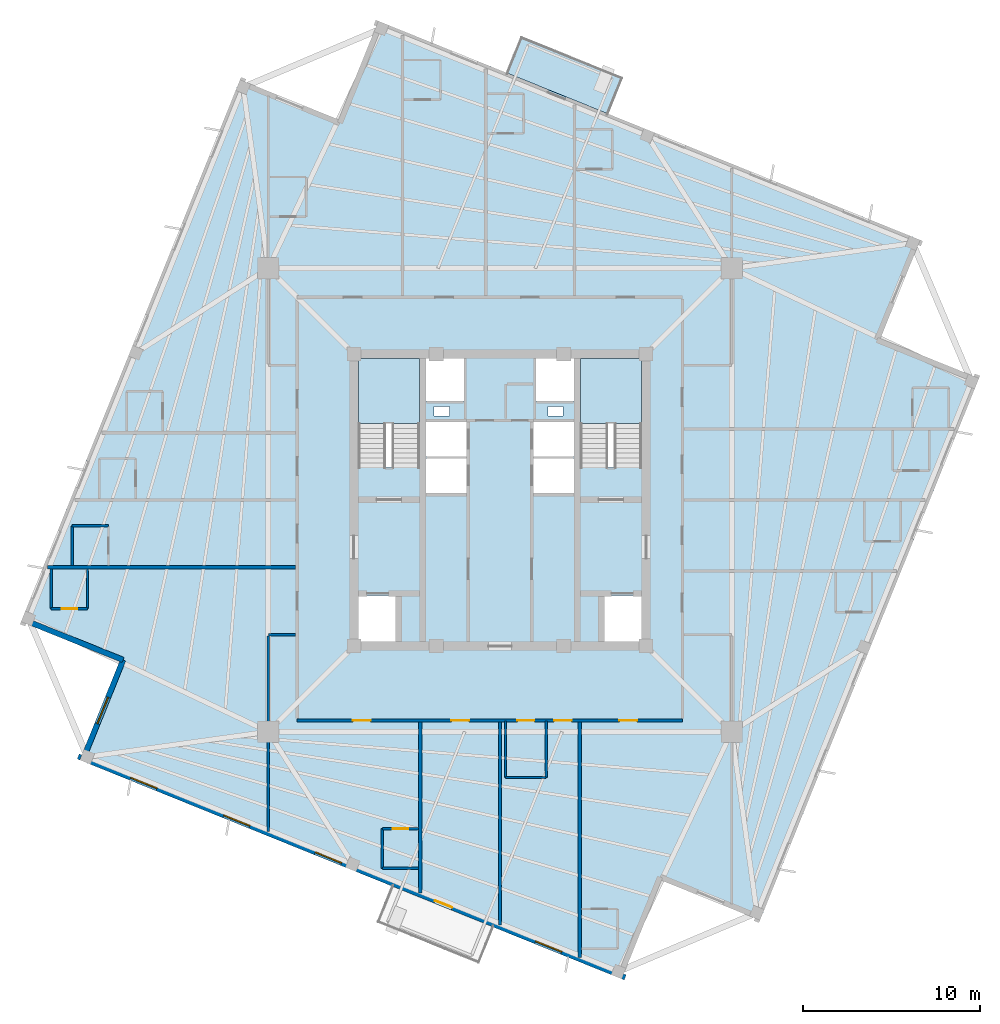
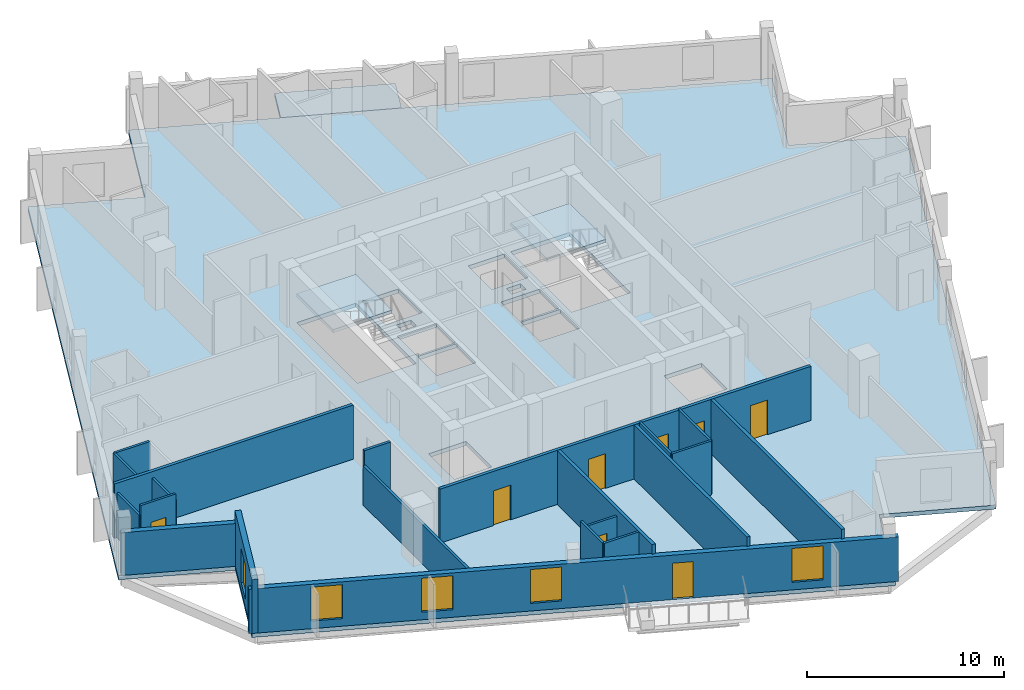
# One storey, part 2 of 9: 21 walls, 8 doors, 5 windows, 4 slabs, 13 openings, 2 elements without a shape of their own.
"""IFC4 building model written with IfcOpenShell, lengths in metres."""

from ifc_helpers import new_model, si_unit, direction, frame, frame_2d, origin, place, context, subcontext, project, spatial, polyline, rectangle, outline, extrude, source, transform, mapped, material, layer, layer_set, type_object, element, fill, aggregate, save


model = new_model("IFC4")

# Units and contexts
model_context = context("Model", 3, precision=1e-05, world=origin(), true_north=direction((0.0, 1.0)))
body_context = subcontext(model_context, "Body", "Model", "MODEL_VIEW")
ifc_project = project(units=[si_unit("LENGTHUNIT", "METRE"), si_unit("AREAUNIT", "SQUARE_METRE"), si_unit("VOLUMEUNIT", "CUBIC_METRE"), si_unit("PLANEANGLEUNIT", "RADIAN"), si_unit("MASSUNIT", "GRAM", prefix="KILO"), si_unit("THERMODYNAMICTEMPERATUREUNIT", "KELVIN")], contexts=[model_context])

# Site, building, storey
site_placement = place(None, origin())
site = spatial("IfcSite", under=ifc_project, at=site_placement, CompositionType="ELEMENT")
building_placement = place(site_placement, origin())
building = spatial("IfcBuilding", under=site, at=building_placement, Name="Kosmvard Interchange Tower", CompositionType="ELEMENT")
storey_placement = place(building_placement, frame((0.0, 0.0, 276.0)))
storey = spatial("IfcBuildingStorey", under=building, at=storey_placement, Name="L67", CompositionType="ELEMENT", Elevation=276.0)

# Slab
ifc_material_1 = material(Name="Concrete C50/60", Category="concrete")
ifc_layer_1 = layer(ifc_material_1, 0.25, Name="Concrete C50/60")
ifc_layer_set_1 = layer_set([ifc_layer_1], Name="Concrete C50/60")
slab_type_1 = type_object("IfcSlabType", Name="Hotel Acoustic Floor Slab 250 C50/60", PredefinedType="FLOOR", material=ifc_layer_set_1)
slab_1_placement = place(storey_placement, frame((0.0, 0.0, -0.25)))
element("IfcSlab", 1, at=slab_1_placement, inside=storey, type_object=slab_type_1, Name="L67 Structural Floor Slab", PredefinedType="FLOOR", context=body_context, shape_type="SweptSolid", body=[
    extrude(outline(polyline([(14.6806640625, -23.727294921875), (27.042724609375, 6.869873046875), (21.4794921875, 9.117431640625), (23.727294921875, 14.6806640625), (-6.869873046875, 27.042724609375), (-9.117431640625, 21.4794921875), (-14.6806640625, 23.727294921875), (-27.042724609375, -6.869873046875), (-21.4794921875, -9.117431640625), (-23.727294921875, -14.6806640625), (6.869873046875, -27.042724609375), (9.117431640625, -21.4794921875), (14.6806640625, -23.727294921875)]), holes=[polyline([(-8.0, 1.8349609375), (-4.5400390625, 1.8349609375), (-4.5400390625, 8.0), (-8.0, 8.0), (-8.0, 1.8349609375)]), polyline([(4.5400390625, 1.8349609375), (8.0, 1.8349609375), (8.0, 8.0), (4.5400390625, 8.0), (4.5400390625, 1.8349609375)]), polyline([(-8.0, -8.0), (-5.800048828125, -8.0), (-5.800048828125, -5.39990234375), (-8.0, -5.39990234375), (-8.0, -8.0)]), polyline([(5.800048828125, -8.0), (8.0, -8.0), (8.0, -5.39990234375), (5.800048828125, -5.39990234375), (5.800048828125, -8.0)]), polyline([(-4.179931640625, 0.39990234375), (-1.8798828125, 0.39990234375), (-1.8798828125, 2.340087890625), (-4.179931640625, 2.340087890625), (-4.179931640625, 0.39990234375)]), polyline([(-4.179931640625, 2.4599609375), (-1.8798828125, 2.4599609375), (-1.8798828125, 4.39990234375), (-4.179931640625, 4.39990234375), (-4.179931640625, 2.4599609375)]), polyline([(1.8798828125, 0.39990234375), (4.179931640625, 0.39990234375), (4.179931640625, 2.340087890625), (1.8798828125, 2.340087890625), (1.8798828125, 0.39990234375)]), polyline([(1.8798828125, 2.4599609375), (4.179931640625, 2.4599609375), (4.179931640625, 4.39990234375), (1.8798828125, 4.39990234375), (1.8798828125, 2.4599609375)]), polyline([(-4.179931640625, 5.60009765625), (-2.0400390625, 5.60009765625), (-2.0400390625, 8.0), (-4.179931640625, 8.0), (-4.179931640625, 5.60009765625)]), polyline([(2.0400390625, 5.60009765625), (4.179931640625, 5.60009765625), (4.179931640625, 8.0), (2.0400390625, 8.0), (2.0400390625, 5.60009765625)]), polyline([(-3.715087890625, 4.739990234375), (-2.864990234375, 4.739990234375), (-2.864990234375, 5.2900390625), (-3.715087890625, 5.2900390625), (-3.715087890625, 4.739990234375)]), polyline([(2.715087890625, 4.739990234375), (3.56494140625, 4.739990234375), (3.56494140625, 5.2900390625), (2.715087890625, 5.2900390625), (2.715087890625, 4.739990234375)])]), origin(), (0.0, 0.0, 1.0), 0.25),
])

# Stair, slab
stair_type = type_object("IfcStairType", Name="Dog-Leg Core Exit Stair H3600 C50/60", PredefinedType="HALF_TURN_STAIR", material=ifc_material_1)
stair_1_placement = place(storey_placement, origin())
stair_1 = element("IfcStair", 2, at=stair_1_placement, inside=storey, type_object=stair_type, Name="L67 Protected Exit Stair ST-1", PredefinedType="HALF_TURN_STAIR")
ifc_layer_2 = layer(ifc_material_1, 0.199951171875, Name="Concrete C50/60")
ifc_layer_set_2 = layer_set([ifc_layer_2], Name="Concrete C50/60")
slab_type_2 = type_object("IfcSlabType", Name="Stair Half-Landing Slab 200 C50/60", PredefinedType="LANDING", material=ifc_layer_set_2)
slab_2_placement = place(storey_placement, frame((0.0, 0.0, 1.60009765625)))
slab_2 = element("IfcSlab", 3, at=slab_2_placement, type_object=slab_type_2, Name="ST-1 landing 1", PredefinedType="LANDING", context=body_context, shape_type="SweptSolid", body=[
    extrude(outline(polyline([(-4.5400390625, 4.320068359375), (-4.5400390625, 8.0), (-8.0, 8.0), (-8.0, 4.320068359375), (-4.5400390625, 4.320068359375)])), origin(), (0.0, 0.0, 1.0), 0.199951171875),
])
aggregate(stair_1, [slab_2])

stair_2_placement = place(storey_placement, origin())
stair_2 = element("IfcStair", 4, at=stair_2_placement, inside=storey, type_object=stair_type, Name="L67 Protected Exit Stair ST-2", PredefinedType="HALF_TURN_STAIR")
slab_3_placement = place(storey_placement, frame((0.0, 0.0, 1.60009765625)))
slab_3 = element("IfcSlab", 5, at=slab_3_placement, type_object=slab_type_2, Name="ST-2 landing 1", PredefinedType="LANDING", context=body_context, shape_type="SweptSolid", body=[
    extrude(outline(polyline([(8.0, 4.320068359375), (8.0, 8.0), (4.5400390625, 8.0), (4.5400390625, 4.320068359375), (8.0, 4.320068359375)])), origin(), (0.0, 0.0, 1.0), 0.199951171875),
])
aggregate(stair_2, [slab_3])

# Slab
ifc_layer_3 = layer(ifc_material_1, 0.22998046875, Name="Concrete C50/60")
ifc_layer_set_3 = layer_set([ifc_layer_3], Name="Concrete C50/60")
slab_type_3 = type_object("IfcSlabType", Name="Tree-Planter Cantilever Balcony Slab 230 C50/60", PredefinedType="FLOOR", material=ifc_layer_set_3)
slab_4_placement = place(storey_placement, frame((0.0, 0.0, -0.22998046875)))
element("IfcSlab", 6, at=slab_4_placement, inside=storey, type_object=slab_type_3, Name="L67 Outdoor Terrace Balcony Slab BAL-L67-E", PredefinedType="FLOOR", context=body_context, shape_type="SweptSolid", body=[
    extrude(outline(polyline([(6.110595703125, 21.798095703125), (6.934814453125, 23.837890625), (1.186279296875, 26.160400390625), (0.362060546875, 24.12060546875), (6.110595703125, 21.798095703125)])), origin(), (0.0, 0.0, 1.0), 0.22998046875),
])

# Walls
ifc_material_2 = material(Name="Acoustic gypsum partition system")
ifc_layer_4 = layer(ifc_material_2, 0.14990234375, Name="Acoustic gypsum partition system")
ifc_layer_set_4 = layer_set([ifc_layer_4], Name="Acoustic gypsum partition system")
wall_type_1 = type_object("IfcWallType", Name="Acoustic Suite & Meeting Partition 150", PredefinedType="PARTITIONING", material=ifc_layer_set_4)
wall_1_placement = place(storey_placement, frame((-11.544921875, -7.60009765625, 0.0), z_axis=(0.0, 0.0, 1.0), x_axis=(-1.0, 0.0, 0.0)))
element("IfcWall", 7, at=wall_1_placement, inside=storey, type_object=wall_type_1, Name="L67 Room Partition 19.1", PredefinedType="PARTITIONING", context=body_context, shape_type="SweptSolid", body=[
    extrude(rectangle(XDim=1.5361328125, YDim=0.14990234375, at=frame_2d((0.76806640625, 0.0))), origin(), (0.0, 0.0, 1.0), 3.35009765625),
])
wall_2_placement = place(storey_placement, frame((-13.0810546875, -7.675048828125, 0.0), z_axis=(0.0, 0.0, 1.0), x_axis=(0.0, -1.0, 0.0)))
element("IfcWall", 8, at=wall_2_placement, inside=storey, type_object=wall_type_1, Name="L67 Room Partition 20.1", PredefinedType="PARTITIONING", context=body_context, shape_type="SweptSolid", body=[
    extrude(rectangle(XDim=11.042724609375, YDim=0.14990234375, at=frame_2d((5.521484375, 0.0))), origin(), (0.0, 0.0, 1.0), 2.449951171875),
])

# Wall, openings, doors
ifc_material_3 = material(Name="Fire-rated gypsum partition system")
ifc_layer_5 = layer(ifc_material_3, 0.179931640625, Name="Fire-rated gypsum partition system")
ifc_layer_set_5 = layer_set([ifc_layer_5], Name="Fire-rated gypsum partition system")
wall_type_2 = type_object("IfcWallType", Name="Corridor & Hotel Compartment Partition 180", PredefinedType="PARTITIONING", material=ifc_layer_set_5)
wall_3_placement = place(storey_placement, frame((-11.449951171875, -12.449951171875, 0.0), z_axis=(0.0, 0.0, 1.0), x_axis=(1.0, 0.0, 0.0)))
wall_3 = element("IfcWall", 9, at=wall_3_placement, inside=storey, type_object=wall_type_2, Name="L67 Corridor Wall CS", PredefinedType="PARTITIONING", context=body_context, shape_type="SweptSolid", body=[
    extrude(rectangle(XDim=21.75, YDim=0.179931640625, at=frame_2d((10.875, 0.0))), origin(), (0.0, 0.0, 1.0), 3.35009765625),
])
opening_1_placement = place(wall_3_placement, frame((12.43603515625, 0.0, 0.0)))
opening_1 = element("IfcOpeningElement", 10, at=opening_1_placement, cuts=wall_3, Name="Opening L67-D01", PredefinedType="OPENING", context=body_context, shape_type="SweptSolid", body=[
    extrude(rectangle(XDim=0.949951171875, YDim=2.10009765625, at=frame_2d((0.47509765625, 1.050048828125))), frame((0.0, 0.10009765625, 0.0), z_axis=(0.0, -1.0, 0.0), x_axis=(1.0, 0.0, 0.0)), (0.0, 0.0, 1.0), 0.199951171875),
])
opening_2_placement = place(wall_3_placement, frame((18.185546875, 0.0, 0.0)))
opening_2 = element("IfcOpeningElement", 11, at=opening_2_placement, cuts=wall_3, Name="Opening L67-D22", PredefinedType="OPENING", context=body_context, shape_type="SweptSolid", body=[
    extrude(rectangle(XDim=1.0, YDim=2.14990234375, at=frame_2d((0.5, 1.074951171875))), frame((0.0, 0.10009765625, 0.0), z_axis=(0.0, -1.0, 0.0), x_axis=(1.0, 0.0, 0.0)), (0.0, 0.0, 1.0), 0.199951171875),
])
opening_3_placement = place(wall_3_placement, frame((14.49951171875, 0.0, 0.0)))
opening_3 = element("IfcOpeningElement", 12, at=opening_3_placement, cuts=wall_3, Name="Opening L67-D24", PredefinedType="OPENING", context=body_context, shape_type="SweptSolid", body=[
    extrude(rectangle(XDim=1.0, YDim=2.14990234375, at=frame_2d((0.5, 1.074951171875))), frame((0.0, 0.10009765625, 0.0), z_axis=(0.0, -1.0, 0.0), x_axis=(1.0, 0.0, 0.0)), (0.0, 0.0, 1.0), 0.199951171875),
])
opening_4_placement = place(wall_3_placement, frame((8.699951171875, 0.0, 0.0)))
opening_4 = element("IfcOpeningElement", 13, at=opening_4_placement, cuts=wall_3, Name="Opening L67-D25", PredefinedType="OPENING", context=body_context, shape_type="SweptSolid", body=[
    extrude(rectangle(XDim=1.0, YDim=2.14990234375, at=frame_2d((0.5, 1.074951171875))), frame((0.0, 0.10009765625, 0.0), z_axis=(0.0, -1.0, 0.0), x_axis=(1.0, 0.0, 0.0)), (0.0, 0.0, 1.0), 0.199951171875),
])
opening_5_placement = place(wall_3_placement, frame((3.139404296875, 0.0, 0.0)))
opening_5 = element("IfcOpeningElement", 14, at=opening_5_placement, cuts=wall_3, Name="Opening L67-D26", PredefinedType="OPENING", context=body_context, shape_type="SweptSolid", body=[
    extrude(rectangle(XDim=1.0, YDim=2.14990234375, at=frame_2d((0.5, 1.074951171875))), frame((0.0, 0.10009765625, 0.0), z_axis=(0.0, -1.0, 0.0), x_axis=(1.0, 0.0, 0.0)), (0.0, 0.0, 1.0), 0.199951171875),
])
ifc_material_4 = material(Name="Laminated moisture-resistant timber", Category="wood")
door_type_1 = type_object("IfcDoorType", Name="Accessible Washroom Door 950x2100", OperationType="NOTDEFINED", PredefinedType="DOOR", material=ifc_material_4)
shared_shape_1 = source(origin(), body_context, "Body", "SweptSolid", [
    extrude(rectangle(XDim=0.949951171875, YDim=2.10009765625, at=frame_2d((0.47509765625, 1.050048828125))), frame((0.0, 0.02490234375, 0.0), z_axis=(0.0, -1.0, 0.0), x_axis=(1.0, 0.0, 0.0)), (0.0, 0.0, 1.0), 0.050048828125),
])
door_1_placement = place(opening_1_placement, frame((0.949951171875, 0.0, 0.0), z_axis=(0.0, 0.0, 1.0), x_axis=(-1.0, 0.0, 0.0)))
door_1 = element("IfcDoor", 15, at=door_1_placement, inside=storey, type_object=door_type_1, Name="L67 Accessible Guest Toilet Door", OperationType="SINGLE_SWING_LEFT", OverallHeight=2.10009765625, OverallWidth=0.949951171875, PredefinedType="DOOR", context=body_context, shape_type="MappedRepresentation", body=[
    mapped(shared_shape_1, transform((0.0, 0.0, 0.0), scale=1.0)),
])
fill(opening_1, door_1)
ifc_material_5 = material(Name="Engineered oak fire-rated timber", Category="wood")
door_type_2 = type_object("IfcDoorType", Name="Hotel Guestroom Entrance Door 1000x2150 EI60", OperationType="NOTDEFINED", PredefinedType="DOOR", material=ifc_material_5)
shared_shape_2 = source(origin(), body_context, "Body", "SweptSolid", [
    extrude(rectangle(XDim=1.0, YDim=2.14990234375, at=frame_2d((0.5, 1.074951171875))), frame((0.0, 0.02490234375, 0.0), z_axis=(0.0, -1.0, 0.0), x_axis=(1.0, 0.0, 0.0)), (0.0, 0.0, 1.0), 0.050048828125),
])
door_2_placement = place(opening_2_placement, frame((1.0, 0.0, 0.0), z_axis=(0.0, 0.0, 1.0), x_axis=(-1.0, 0.0, 0.0)))
door_2 = element("IfcDoor", 16, at=door_2_placement, inside=storey, type_object=door_type_2, Name="L67 Hotel Corner Suite 3 Door", OperationType="SINGLE_SWING_RIGHT", OverallHeight=2.14990234375, OverallWidth=1.0, PredefinedType="DOOR", context=body_context, shape_type="MappedRepresentation", body=[
    mapped(shared_shape_2, transform((0.0, 0.0, 0.0), scale=1.0)),
])
fill(opening_2, door_2)
door_3_placement = place(opening_3_placement, frame((1.0, 0.0, 0.0), z_axis=(0.0, 0.0, 1.0), x_axis=(-1.0, 0.0, 0.0)))
door_3 = element("IfcDoor", 17, at=door_3_placement, inside=storey, type_object=door_type_2, Name="L67 Housekeeping and Linen Room Door", OperationType="SINGLE_SWING_RIGHT", OverallHeight=2.14990234375, OverallWidth=1.0, PredefinedType="DOOR", context=body_context, shape_type="MappedRepresentation", body=[
    mapped(shared_shape_2, transform((0.0, 0.0, 0.0), scale=1.0)),
])
fill(opening_3, door_3)
door_4_placement = place(opening_4_placement, frame((1.0, 0.0, 0.0), z_axis=(0.0, 0.0, 1.0), x_axis=(-1.0, 0.0, 0.0)))
door_4 = element("IfcDoor", 18, at=door_4_placement, inside=storey, type_object=door_type_2, Name="L67 Hotel Floor Pantry Door", OperationType="SINGLE_SWING_LEFT", OverallHeight=2.14990234375, OverallWidth=1.0, PredefinedType="DOOR", context=body_context, shape_type="MappedRepresentation", body=[
    mapped(shared_shape_2, transform((0.0, 0.0, 0.0), scale=1.0)),
])
fill(opening_4, door_4)
door_5_placement = place(opening_5_placement, frame((1.0, 0.0, 0.0), z_axis=(0.0, 0.0, 1.0), x_axis=(-1.0, 0.0, 0.0)))
door_5 = element("IfcDoor", 19, at=door_5_placement, inside=storey, type_object=door_type_2, Name="L67 Hotel Deluxe Guest Room 9 Door", OperationType="SINGLE_SWING_RIGHT", OverallHeight=2.14990234375, OverallWidth=1.0, PredefinedType="DOOR", context=body_context, shape_type="MappedRepresentation", body=[
    mapped(shared_shape_2, transform((0.0, 0.0, 0.0), scale=1.0)),
])
fill(opening_5, door_5)

# Walls
wall_4_placement = place(storey_placement, frame((4.5, -12.544921875, 0.0), z_axis=(0.0, 0.0, 1.0), x_axis=(0.0, -1.0, 0.0)))
element("IfcWall", 20, at=wall_4_placement, inside=storey, type_object=wall_type_2, Name="L67 Room Partition 07.1", PredefinedType="PARTITIONING", context=body_context, shape_type="SweptSolid", body=[
    extrude(rectangle(XDim=13.27587890625, YDim=0.179931640625, at=frame_2d((6.637939453125, 0.0))), origin(), (0.0, 0.0, 1.0), 3.35009765625),
])
wall_5_placement = place(storey_placement, frame((0.0, -12.544921875, 0.0), z_axis=(0.0, 0.0, 1.0), x_axis=(0.0, -1.0, 0.0)))
element("IfcWall", 21, at=wall_5_placement, inside=storey, type_object=wall_type_2, Name="L67 Room Partition 08.1", PredefinedType="PARTITIONING", context=body_context, shape_type="SweptSolid", body=[
    extrude(rectangle(XDim=11.457763671875, YDim=0.179931640625, at=frame_2d((5.72900390625, 0.0))), origin(), (0.0, 0.0, 1.0), 3.35009765625),
])
wall_6_placement = place(storey_placement, frame((-4.5, -12.544921875, 0.0), z_axis=(0.0, 0.0, 1.0), x_axis=(0.0, -1.0, 0.0)))
element("IfcWall", 22, at=wall_6_placement, inside=storey, type_object=wall_type_2, Name="L67 Room Partition 09.1", PredefinedType="PARTITIONING", context=body_context, shape_type="SweptSolid", body=[
    extrude(rectangle(XDim=9.6396484375, YDim=0.179931640625, at=frame_2d((4.81982421875, 0.0))), origin(), (0.0, 0.0, 1.0), 3.35009765625),
])
wall_7_placement = place(storey_placement, frame((-11.544921875, -3.800048828125, 0.0), z_axis=(0.0, 0.0, 1.0), x_axis=(-1.0, 0.0, 0.0)))
element("IfcWall", 23, at=wall_7_placement, inside=storey, type_object=wall_type_2, Name="L67 Room Partition 10.1", PredefinedType="PARTITIONING", context=body_context, shape_type="SweptSolid", body=[
    extrude(rectangle(XDim=13.9931640625, YDim=0.179931640625, at=frame_2d((6.99658203125, 0.0))), origin(), (0.0, 0.0, 1.0), 3.35009765625),
])
ifc_material_6 = material(Name="Precast concrete C45/55", Category="concrete")
ifc_layer_6 = layer(ifc_material_6, 0.31005859375, Name="Precast concrete C45/55")
ifc_layer_set_6 = layer_set([ifc_layer_6], Name="Precast concrete C45/55")
wall_type_3 = type_object("IfcWallType", Name="Upper Tower Precast Pier Wall 310 C45/55", PredefinedType="STANDARD", material=ifc_layer_set_6)
wall_8_placement = place(storey_placement, frame((-26.8408203125, -6.7841796875, 0.0), z_axis=(0.0, 0.0, 1.0), x_axis=(0.927171722085, -0.374636620962, 0.0)))
element("IfcWall", 24, at=wall_8_placement, inside=storey, type_object=wall_type_3, Name="L67 Precast Facade Wall N-NW1", PredefinedType="STANDARD", context=body_context, shape_type="SweptSolid", body=[
    extrude(rectangle(XDim=6.0, YDim=0.31005859375, at=frame_2d((3.0, 0.0))), origin(), (0.0, 0.0, 1.0), 2.64990234375),
])

# Wall, opening, window
wall_9_placement = place(storey_placement, frame((-21.27783203125, -9.031982421875, 0.0), z_axis=(0.0, 0.0, 1.0), x_axis=(-0.374602739196, -0.927185411764, 0.0)))
wall_9 = element("IfcWall", 25, at=wall_9_placement, inside=storey, type_object=wall_type_3, Name="L67 Precast Facade Wall N-NW2", PredefinedType="STANDARD", context=body_context, shape_type="SweptSolid", body=[
    extrude(rectangle(XDim=6.155029296875, YDim=0.31005859375, at=frame_2d((3.07763671875, 0.0))), origin(), (0.0, 0.0, 1.0), 3.35009765625),
])
opening_6_placement = place(wall_9_placement, frame((2.277587890625, 0.0, 0.469970703125)))
opening_6 = element("IfcOpeningElement", 26, at=opening_6_placement, cuts=wall_9, Name="Opening L67-W21", PredefinedType="OPENING", context=body_context, shape_type="SweptSolid", body=[
    extrude(rectangle(XDim=1.60009765625, YDim=2.10009765625, at=frame_2d((0.800048828125, 1.050048828125))), frame((0.0, 0.1650390625, 0.0), z_axis=(0.0, -1.0, 0.0), x_axis=(1.0, 0.0, 0.0)), (0.0, 0.0, 1.0), 0.330078125),
])
ifc_material_7 = material(Name="Low-E acoustic double glazing", Category="glass")
window_type = type_object("IfcWindowType", Name="Zone 5 Hotel Punched Window 1600x2100", PartitioningType="SINGLE_PANEL", PredefinedType="WINDOW", material=ifc_material_7)
shared_shape_3 = source(origin(), body_context, "Body", "SweptSolid", [
    extrude(rectangle(XDim=1.60009765625, YDim=2.10009765625, at=frame_2d((0.800048828125, 1.050048828125))), frame((0.0, 0.030029296875, 0.0), z_axis=(0.0, -1.0, 0.0), x_axis=(1.0, 0.0, 0.0)), (0.0, 0.0, 1.0), 0.06005859375),
])
window_1_placement = place(opening_6_placement, origin())
window_1 = element("IfcWindow", 27, at=window_1_placement, inside=storey, type_object=window_type, Name="L67 Corner Notch Window 21", OverallHeight=2.10009765625, OverallWidth=1.60009765625, PartitioningType="SINGLE_PANEL", PredefinedType="WINDOW", context=body_context, shape_type="MappedRepresentation", body=[
    mapped(shared_shape_3, transform((0.0, 0.0, 0.0), scale=1.0)),
])
fill(opening_6, window_1)

# Wall, openings, door, windows
wall_10_placement = place(storey_placement, frame((-23.812744140625, -14.478759765625, 0.0), z_axis=(0.0, 0.0, 1.0), x_axis=(0.927182657188, -0.374609557019, 0.0)))
wall_10 = element("IfcWall", 28, at=wall_10_placement, inside=storey, type_object=wall_type_3, Name="L67 Precast Facade Wall F-W", PredefinedType="STANDARD", context=body_context, shape_type="SweptSolid", body=[
    extrude(rectangle(XDim=33.31005859375, YDim=0.31005859375, at=frame_2d((16.655029296875, 0.0))), origin(), (0.0, 0.0, 1.0), 2.75),
])
opening_7_placement = place(wall_10_placement, frame((21.72998046875, 0.0, 0.0)))
opening_7 = element("IfcOpeningElement", 29, at=opening_7_placement, cuts=wall_10, Name="Opening L67-BDW", PredefinedType="OPENING", context=body_context, shape_type="SweptSolid", body=[
    extrude(rectangle(XDim=1.050048828125, YDim=2.25, at=frame_2d((0.52490234375, 1.125))), frame((0.0, 0.1650390625, 0.0), z_axis=(0.0, -1.0, 0.0), x_axis=(1.0, 0.0, 0.0)), (0.0, 0.0, 1.0), 0.330078125),
])
opening_8_placement = place(wall_10_placement, frame((3.197265625, 0.0, 0.469970703125)))
opening_8 = element("IfcOpeningElement", 30, at=opening_8_placement, cuts=wall_10, Name="Opening L67-W15", PredefinedType="OPENING", context=body_context, shape_type="SweptSolid", body=[
    extrude(rectangle(XDim=1.60009765625, YDim=2.10009765625, at=frame_2d((0.800048828125, 1.050048828125))), frame((0.0, 0.1650390625, 0.0), z_axis=(0.0, -1.0, 0.0), x_axis=(1.0, 0.0, 0.0)), (0.0, 0.0, 1.0), 0.330078125),
])
opening_9_placement = place(wall_10_placement, frame((8.85986328125, 0.0, 0.469970703125)))
opening_9 = element("IfcOpeningElement", 31, at=opening_9_placement, cuts=wall_10, Name="Opening L67-W16", PredefinedType="OPENING", context=body_context, shape_type="SweptSolid", body=[
    extrude(rectangle(XDim=1.60009765625, YDim=2.10009765625, at=frame_2d((0.800048828125, 1.050048828125))), frame((0.0, 0.1650390625, 0.0), z_axis=(0.0, -1.0, 0.0), x_axis=(1.0, 0.0, 0.0)), (0.0, 0.0, 1.0), 0.330078125),
])
opening_10_placement = place(wall_10_placement, frame((14.438720703125, 0.0, 0.469970703125)))
opening_10 = element("IfcOpeningElement", 32, at=opening_10_placement, cuts=wall_10, Name="Opening L67-W17", PredefinedType="OPENING", context=body_context, shape_type="SweptSolid", body=[
    extrude(rectangle(XDim=1.60009765625, YDim=2.10009765625, at=frame_2d((0.800048828125, 1.050048828125))), frame((0.0, 0.1650390625, 0.0), z_axis=(0.0, -1.0, 0.0), x_axis=(1.0, 0.0, 0.0)), (0.0, 0.0, 1.0), 0.330078125),
])
opening_11_placement = place(wall_10_placement, frame((27.8466796875, 0.0, 0.469970703125)))
opening_11 = element("IfcOpeningElement", 33, at=opening_11_placement, cuts=wall_10, Name="Opening L67-W18", PredefinedType="OPENING", context=body_context, shape_type="SweptSolid", body=[
    extrude(rectangle(XDim=1.60009765625, YDim=2.10009765625, at=frame_2d((0.800048828125, 1.050048828125))), frame((0.0, 0.1650390625, 0.0), z_axis=(0.0, -1.0, 0.0), x_axis=(1.0, 0.0, 0.0)), (0.0, 0.0, 1.0), 0.330078125),
])
ifc_material_8 = material(Name="Anodised aluminium and safety glass", Category="aluminium")
door_type_3 = type_object("IfcDoorType", Name="Tree-Balcony Glazed Door 1050x2250", OperationType="NOTDEFINED", PredefinedType="DOOR", material=ifc_material_8)
shared_shape_4 = source(origin(), body_context, "Body", "SweptSolid", [
    extrude(rectangle(XDim=1.050048828125, YDim=2.25, at=frame_2d((0.52490234375, 1.125))), frame((0.0, 0.02490234375, 0.0), z_axis=(0.0, -1.0, 0.0), x_axis=(1.0, 0.0, 0.0)), (0.0, 0.0, 1.0), 0.050048828125),
])
door_6_placement = place(opening_7_placement, origin())
door_6 = element("IfcDoor", 34, at=door_6_placement, inside=storey, type_object=door_type_3, Name="L67 Tree-Balcony Door BAL-L67-W", OperationType="SINGLE_SWING_RIGHT", OverallHeight=2.25, OverallWidth=1.050048828125, PredefinedType="DOOR", context=body_context, shape_type="MappedRepresentation", body=[
    mapped(shared_shape_4, transform((0.0, 0.0, 0.0), scale=1.0)),
])
fill(opening_7, door_6)
window_2_placement = place(opening_8_placement, origin())
window_2 = element("IfcWindow", 35, at=window_2_placement, inside=storey, type_object=window_type, Name="L67 Facade Punched Window 15", OverallHeight=2.10009765625, OverallWidth=1.60009765625, PartitioningType="SINGLE_PANEL", PredefinedType="WINDOW", context=body_context, shape_type="MappedRepresentation", body=[
    mapped(shared_shape_3, transform((0.0, 0.0, 0.0), scale=1.0)),
])
fill(opening_8, window_2)
window_3_placement = place(opening_9_placement, origin())
window_3 = element("IfcWindow", 36, at=window_3_placement, inside=storey, type_object=window_type, Name="L67 Facade Punched Window 16", OverallHeight=2.10009765625, OverallWidth=1.60009765625, PartitioningType="SINGLE_PANEL", PredefinedType="WINDOW", context=body_context, shape_type="MappedRepresentation", body=[
    mapped(shared_shape_3, transform((0.0, 0.0, 0.0), scale=1.0)),
])
fill(opening_9, window_3)
window_4_placement = place(opening_10_placement, origin())
window_4 = element("IfcWindow", 37, at=window_4_placement, inside=storey, type_object=window_type, Name="L67 Facade Punched Window 17", OverallHeight=2.10009765625, OverallWidth=1.60009765625, PartitioningType="SINGLE_PANEL", PredefinedType="WINDOW", context=body_context, shape_type="MappedRepresentation", body=[
    mapped(shared_shape_3, transform((0.0, 0.0, 0.0), scale=1.0)),
])
fill(opening_10, window_4)
window_5_placement = place(opening_11_placement, origin())
window_5 = element("IfcWindow", 38, at=window_5_placement, inside=storey, type_object=window_type, Name="L67 Facade Punched Window 18", OverallHeight=2.10009765625, OverallWidth=1.60009765625, PartitioningType="SINGLE_PANEL", PredefinedType="WINDOW", context=body_context, shape_type="MappedRepresentation", body=[
    mapped(shared_shape_3, transform((0.0, 0.0, 0.0), scale=1.0)),
])
fill(opening_11, window_5)

# Walls
ifc_material_9 = material(Name="Moisture-resistant gypsum partition")
ifc_layer_7 = layer(ifc_material_9, 0.135009765625, Name="Moisture-resistant gypsum partition")
ifc_layer_set_7 = layer_set([ifc_layer_7], Name="Moisture-resistant gypsum partition")
wall_type_4 = type_object("IfcWallType", Name="Wet Room Moisture-Resistant Partition 135", PredefinedType="PARTITIONING", material=ifc_layer_set_7)
wall_11_placement = place(storey_placement, frame((0.31103515625, -15.669921875, 0.0), z_axis=(0.0, 0.0, 1.0), x_axis=(1.0, 0.0, 0.0)))
element("IfcWall", 39, at=wall_11_placement, inside=storey, type_object=wall_type_4, Name="L67 Washroom Partition HAWC-S", PredefinedType="PARTITIONING", context=body_context, shape_type="SweptSolid", body=[
    extrude(rectangle(XDim=2.300048828125, YDim=0.135009765625, at=frame_2d((1.14990234375, 0.0))), origin(), (0.0, 0.0, 1.0), 3.35009765625),
])
for number, where, z_axis, x_axis, name in (
    (40, (2.611083984375, -15.669921875, 0.0), (0.0, 0.0, 1.0), (0.0, 1.0, 0.0), "L67 Washroom Partition HAWC-E"),
    (41, (0.31103515625, -15.669921875, 0.0), (0.0, 0.0, 1.0), (0.0, 1.0, 0.0), "L67 Washroom Partition HAWC-W"),
):
    element("IfcWall", number, at=place(storey_placement, frame(where, z_axis=z_axis, x_axis=x_axis)), inside=storey, type_object=wall_type_4, Name=name, PredefinedType="PARTITIONING", context=body_context, shape_type="SweptSolid", body=[
        extrude(rectangle(XDim=3.199951171875, YDim=0.135009765625, at=frame_2d((1.60009765625, 0.0))), origin(), (0.0, 0.0, 1.0), 3.35009765625),
    ])
wall_12_placement = place(storey_placement, frame((-6.639892578125, -20.80126953125, 0.0), z_axis=(0.0, 0.0, 1.0), x_axis=(1.0, 0.0, 0.0)))
element("IfcWall", 42, at=wall_12_placement, inside=storey, type_object=wall_type_4, Name="L67 En-Suite Partition HGR9-S", PredefinedType="PARTITIONING", context=body_context, shape_type="SweptSolid", body=[
    extrude(rectangle(XDim=2.0498046875, YDim=0.135009765625, at=frame_2d((1.02490234375, 0.0))), origin(), (0.0, 0.0, 1.0), 3.35009765625),
])

# Wall, opening, door
wall_13_placement = place(storey_placement, frame((-6.639892578125, -18.55126953125, 0.0), z_axis=(0.0, 0.0, 1.0), x_axis=(1.0, 0.0, 0.0)))
wall_13 = element("IfcWall", 43, at=wall_13_placement, inside=storey, type_object=wall_type_4, Name="L67 En-Suite Partition HGR9-N", PredefinedType="PARTITIONING", context=body_context, shape_type="SweptSolid", body=[
    extrude(rectangle(XDim=2.0498046875, YDim=0.135009765625, at=frame_2d((1.02490234375, 0.0))), origin(), (0.0, 0.0, 1.0), 2.949951171875),
])
opening_12_placement = place(wall_13_placement, frame((0.5849609375, 0.0, 0.0)))
opening_12 = element("IfcOpeningElement", 44, at=opening_12_placement, cuts=wall_13, Name="Opening L67-ED27", PredefinedType="OPENING", context=body_context, shape_type="SweptSolid", body=[
    extrude(rectangle(XDim=0.8798828125, YDim=2.10009765625, at=frame_2d((0.43994140625, 1.050048828125))), frame((0.0, 0.07763671875, 0.0), z_axis=(0.0, -1.0, 0.0), x_axis=(1.0, 0.0, 0.0)), (0.0, 0.0, 1.0), 0.155029296875),
])
door_type_4 = type_object("IfcDoorType", Name="En-Suite & Washroom Door 880x2100", OperationType="NOTDEFINED", PredefinedType="DOOR", material=ifc_material_4)
shared_shape_5 = source(origin(), body_context, "Body", "SweptSolid", [
    extrude(rectangle(XDim=0.8798828125, YDim=2.10009765625, at=frame_2d((0.43994140625, 1.050048828125))), frame((0.0, 0.02490234375, 0.0), z_axis=(0.0, -1.0, 0.0), x_axis=(1.0, 0.0, 0.0)), (0.0, 0.0, 1.0), 0.050048828125),
])
door_7_placement = place(opening_12_placement, frame((0.8798828125, 0.0, 0.0), z_axis=(0.0, 0.0, 1.0), x_axis=(-1.0, 0.0, 0.0)))
door_7 = element("IfcDoor", 45, at=door_7_placement, inside=storey, type_object=door_type_4, Name="L67 HGR9 En-Suite Door", OperationType="SINGLE_SWING_RIGHT", OverallHeight=2.10009765625, OverallWidth=0.8798828125, PredefinedType="DOOR", context=body_context, shape_type="MappedRepresentation", body=[
    mapped(shared_shape_5, transform((0.0, 0.0, 0.0), scale=1.0)),
])
fill(opening_12, door_7)

# Wall
wall_14_placement = place(storey_placement, frame((-6.639892578125, -20.80126953125, 0.0), z_axis=(0.0, 0.0, 1.0), x_axis=(0.0, 1.0, 0.0)))
element("IfcWall", 46, at=wall_14_placement, inside=storey, type_object=wall_type_4, Name="L67 En-Suite Partition HGR9-W", PredefinedType="PARTITIONING", context=body_context, shape_type="SweptSolid", body=[
    extrude(rectangle(XDim=2.25, YDim=0.135009765625, at=frame_2d((1.125, 0.0))), origin(), (0.0, 0.0, 1.0), 3.35009765625),
])

# Wall, opening, door
wall_15_placement = place(storey_placement, frame((-25.341552734375, -6.139892578125, 0.0), z_axis=(0.0, 0.0, 1.0), x_axis=(1.0, 0.0, 0.0)))
wall_15 = element("IfcWall", 47, at=wall_15_placement, inside=storey, type_object=wall_type_4, Name="L67 En-Suite Partition HCS4-S", PredefinedType="PARTITIONING", context=body_context, shape_type="SweptSolid", body=[
    extrude(rectangle(XDim=2.050048828125, YDim=0.135009765625, at=frame_2d((1.02490234375, 0.0))), origin(), (0.0, 0.0, 1.0), 3.35009765625),
])
opening_13_placement = place(wall_15_placement, frame((0.5849609375, 0.0, 0.0)))
opening_13 = element("IfcOpeningElement", 48, at=opening_13_placement, cuts=wall_15, Name="Opening L67-ED29", PredefinedType="OPENING", context=body_context, shape_type="SweptSolid", body=[
    extrude(rectangle(XDim=0.8798828125, YDim=2.10009765625, at=frame_2d((0.43994140625, 1.050048828125))), frame((0.0, 0.07763671875, 0.0), z_axis=(0.0, -1.0, 0.0), x_axis=(1.0, 0.0, 0.0)), (0.0, 0.0, 1.0), 0.155029296875),
])
door_8_placement = place(opening_13_placement, origin())
door_8 = element("IfcDoor", 49, at=door_8_placement, inside=storey, type_object=door_type_4, Name="L67 HCS4 En-Suite Door", OperationType="SINGLE_SWING_RIGHT", OverallHeight=2.10009765625, OverallWidth=0.8798828125, PredefinedType="DOOR", context=body_context, shape_type="MappedRepresentation", body=[
    mapped(shared_shape_5, transform((0.0, 0.0, 0.0), scale=1.0)),
])
fill(opening_13, door_8)

# Walls
wall_16_placement = place(storey_placement, frame((-23.29150390625, -6.139892578125, 0.0), z_axis=(0.0, 0.0, 1.0), x_axis=(0.0, 1.0, 0.0)))
element("IfcWall", 50, at=wall_16_placement, inside=storey, type_object=wall_type_4, Name="L67 En-Suite Partition HCS4-E", PredefinedType="PARTITIONING", context=body_context, shape_type="SweptSolid", body=[
    extrude(rectangle(XDim=2.25, YDim=0.135009765625, at=frame_2d((1.125, 0.0))), origin(), (0.0, 0.0, 1.0), 2.949951171875),
])
wall_17_placement = place(storey_placement, frame((-25.341552734375, -6.139892578125, 0.0), z_axis=(0.0, 0.0, 1.0), x_axis=(0.0, 1.0, 0.0)))
element("IfcWall", 51, at=wall_17_placement, inside=storey, type_object=wall_type_4, Name="L67 En-Suite Partition HCS4-W", PredefinedType="PARTITIONING", context=body_context, shape_type="SweptSolid", body=[
    extrude(rectangle(XDim=2.25, YDim=0.135009765625, at=frame_2d((1.125, 0.0))), origin(), (0.0, 0.0, 1.0), 2.75),
])
wall_18_placement = place(storey_placement, frame((-24.15478515625, -1.4599609375, 0.0), z_axis=(0.0, 0.0, 1.0), x_axis=(1.0, 0.0, 0.0)))
element("IfcWall", 52, at=wall_18_placement, inside=storey, type_object=wall_type_4, Name="L67 En-Suite Partition HGR0-N", PredefinedType="PARTITIONING", context=body_context, shape_type="SweptSolid", body=[
    extrude(rectangle(XDim=2.050048828125, YDim=0.135009765625, at=frame_2d((1.02490234375, 0.0))), origin(), (0.0, 0.0, 1.0), 3.35009765625),
])
wall_19_placement = place(storey_placement, frame((-24.15478515625, -3.7099609375, 0.0), z_axis=(0.0, 0.0, 1.0), x_axis=(0.0, 1.0, 0.0)))
element("IfcWall", 53, at=wall_19_placement, inside=storey, type_object=wall_type_4, Name="L67 En-Suite Partition HGR0-W", PredefinedType="PARTITIONING", context=body_context, shape_type="SweptSolid", body=[
    extrude(rectangle(XDim=2.25, YDim=0.135009765625, at=frame_2d((1.125, 0.0))), origin(), (0.0, 0.0, 1.0), 3.35009765625),
])

save(model, "model.ifc")
